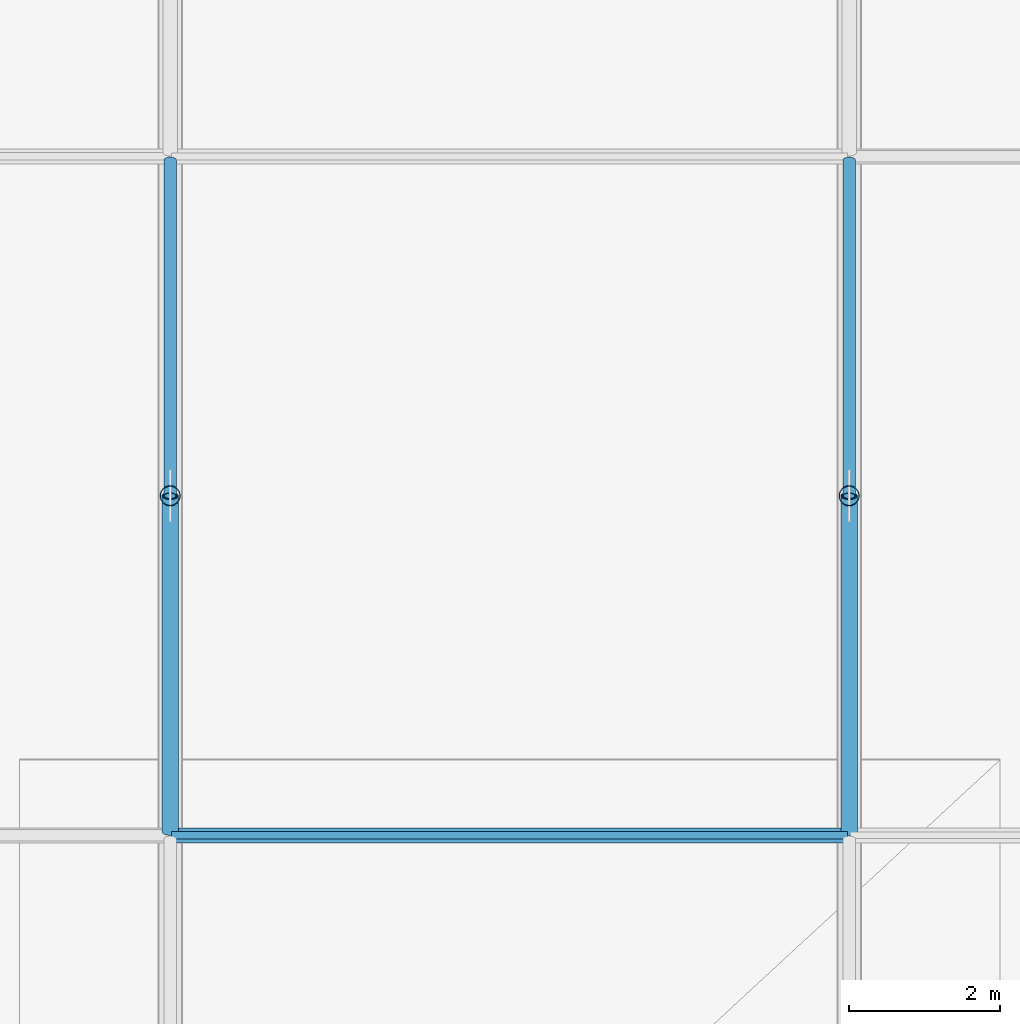
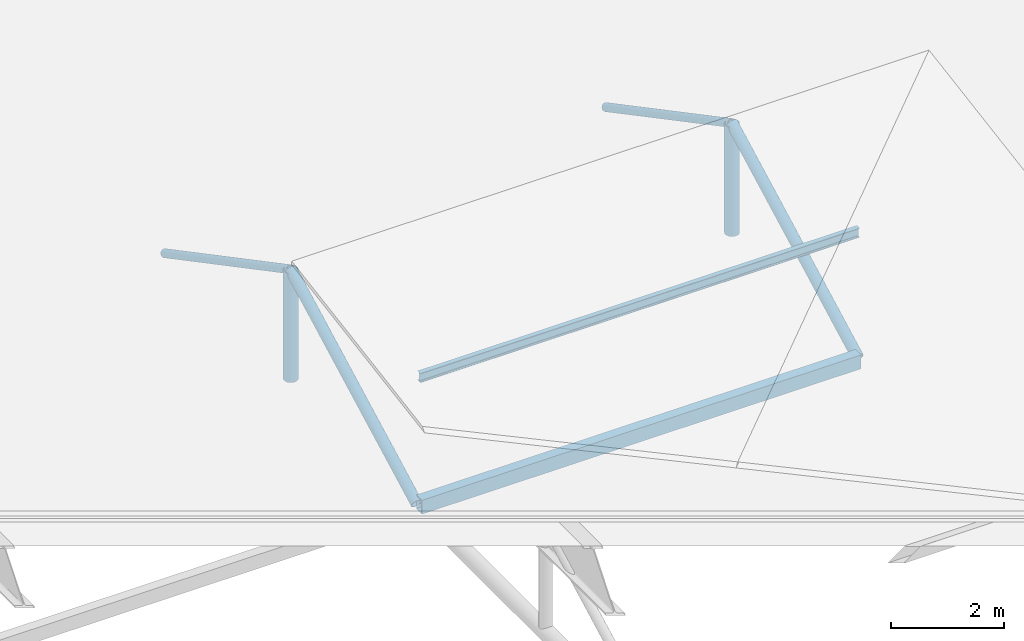
# One storey, part 84 of 196: 8 members.
"""IFC4 building model written with IfcOpenShell, lengths in metres."""

from ifc_helpers import new_model, si_unit, direction, frame, origin, origin_2d, place, context, subcontext, project, spatial, hollow_rectangle, hollow_circle, i_section, extrude, material, material_profile, profile_set, type_object, element, save


model = new_model("IFC4")

# Units and contexts
model_context = context("Model", 3, precision=1e-05, world=origin(), true_north=direction((0.0, 1.0)))
body_context = subcontext(model_context, "Body", "Model", "MODEL_VIEW")
ifc_project = project(units=[si_unit("LENGTHUNIT", "METRE"), si_unit("AREAUNIT", "SQUARE_METRE"), si_unit("VOLUMEUNIT", "CUBIC_METRE"), si_unit("PLANEANGLEUNIT", "RADIAN"), si_unit("MASSUNIT", "GRAM", prefix="KILO")], contexts=[model_context])

# Site, building, storey
site_placement = place(None, origin())
site = spatial("IfcSite", under=ifc_project, at=site_placement, CompositionType="ELEMENT")
building_placement = place(site_placement, origin())
building = spatial("IfcBuilding", under=site, at=building_placement, Name="Barlavento Convention Centre", CompositionType="ELEMENT")
storey_placement = place(building_placement, frame((0.0, 0.0, 18.0)))
storey = spatial("IfcBuildingStorey", under=building, at=storey_placement, Name="L03", CompositionType="ELEMENT", Elevation=18.0)

# Members
ifc_material = material(Name="Steel S355", Category="steel")
ifc_material_profile_1 = material_profile(ifc_material, hollow_rectangle(XDim=0.199951171875, YDim=0.300048828125, WallThickness=0.012451171875, at=origin_2d()), Name="RHS 300x200x12.5")
ifc_profile_set_1 = profile_set([ifc_material_profile_1], Name="Steel S355")
member_type_1 = type_object("IfcMemberType", Name="STR-MEM-COL-RHS300", PredefinedType="COLLAR", material=ifc_profile_set_1)
member_1_placement = place(storey_placement, frame((99.02001953125, 81.0, -3.199951171875), z_axis=(1.0, 0.0, 0.0), x_axis=(0.0, 1.0, 0.0)))
element("IfcMember", 1, at=member_1_placement, inside=storey, type_object=member_type_1, Name="Exhibition space frame transverse chord", PredefinedType="COLLAR", context=body_context, shape_type="SweptSolid", body=[
    extrude(hollow_rectangle(XDim=0.199951171875, YDim=0.300048828125, WallThickness=0.012451171875, at=origin_2d()), origin(), (0.0, 0.0, 1.0), 8.9599609375),
])
ifc_material_profile_2 = material_profile(ifc_material, hollow_circle(Radius=0.084228515625, WallThickness=0.010009765625, at=origin_2d()), Name="CHS 168.3x10.0")
ifc_profile_set_2 = profile_set([ifc_material_profile_2], Name="Steel S355")
member_type_2 = type_object("IfcMemberType", Name="STR-MEM-DIAG-CHS168", PredefinedType="POST", material=ifc_profile_set_2)
member_2_placement = place(storey_placement, frame((99.0, 85.5, -0.84912109375), z_axis=(0.0, 0.884200566707, -0.467107437144), x_axis=(-1.0, 0.0, 0.0)))
element("IfcMember", 2, at=member_2_placement, inside=storey, type_object=member_type_2, Name="Exhibition space frame web diagonal", PredefinedType="POST", context=body_context, shape_type="SweptSolid", body=[
    extrude(hollow_circle(Radius=0.084228515625, WallThickness=0.010009765625, at=origin_2d()), origin(), (0.0, 0.0, 1.0), 5.03271484375),
])
member_3_placement = place(storey_placement, frame((108.0, 85.5, -0.844970703125), z_axis=(0.0, 0.883859857229, -0.467751806816), x_axis=(-1.0, 0.0, 0.0)))
element("IfcMember", 3, at=member_3_placement, inside=storey, type_object=member_type_2, Name="Exhibition space frame web diagonal", PredefinedType="POST", context=body_context, shape_type="SweptSolid", body=[
    extrude(hollow_circle(Radius=0.084228515625, WallThickness=0.010009765625, at=origin_2d()), origin(), (0.0, 0.0, 1.0), 5.03466796875),
])
ifc_material_profile_3 = material_profile(ifc_material, hollow_circle(Radius=0.109619140625, WallThickness=0.012451171875, at=origin_2d()), Name="CHS 219.1x12.5")
ifc_profile_set_3 = profile_set([ifc_material_profile_3], Name="Steel S355")
member_type_3 = type_object("IfcMemberType", Name="STR-MEM-DIAG-CHS219", PredefinedType="RAFTER", material=ifc_profile_set_3)
member_4_placement = place(storey_placement, frame((99.0, 81.050048828125, -3.199951171875), z_axis=(0.0, 0.884200566707, 0.467107437144), x_axis=(-1.0, 0.0, 0.0)))
element("IfcMember", 4, at=member_4_placement, inside=storey, type_object=member_type_3, Name="Exhibition space frame web diagonal", PredefinedType="RAFTER", context=body_context, shape_type="SweptSolid", body=[
    extrude(hollow_circle(Radius=0.109619140625, WallThickness=0.012451171875, at=origin_2d()), origin(), (0.0, 0.0, 1.0), 5.03271484375),
])
member_5_placement = place(storey_placement, frame((108.0, 81.050048828125, -3.199951171875), z_axis=(0.0, 0.883859857229, 0.467751806816), x_axis=(-1.0, 0.0, 0.0)))
element("IfcMember", 5, at=member_5_placement, inside=storey, type_object=member_type_3, Name="Exhibition space frame web diagonal", PredefinedType="RAFTER", context=body_context, shape_type="SweptSolid", body=[
    extrude(hollow_circle(Radius=0.109619140625, WallThickness=0.012451171875, at=origin_2d()), origin(), (0.0, 0.0, 1.0), 5.03466796875),
])
ifc_material_profile_4 = material_profile(ifc_material, i_section(OverallWidth=0.10009765625, OverallDepth=0.199951171875, WebThickness=0.005615234375, FlangeThickness=0.008544921875, FilletRadius=0.011962890625, at=origin_2d()), Name="IPE 200")
ifc_profile_set_4 = profile_set([ifc_material_profile_4], Name="Steel S355")
member_type_4 = type_object("IfcMemberType", Name="STR-MEM-PUR-IPE200", PredefinedType="PURLIN", material=ifc_profile_set_4)
member_6_placement = place(storey_placement, frame((99.02001953125, 81.0, -0.445068359375), z_axis=(1.0, 0.0, 0.0), x_axis=(0.0, 1.0, 0.0)))
element("IfcMember", 6, at=member_6_placement, inside=storey, type_object=member_type_4, Name="Exhibition roof purlin", PredefinedType="PURLIN", context=body_context, shape_type="SweptSolid", body=[
    extrude(i_section(OverallWidth=0.10009765625, OverallDepth=0.199951171875, WebThickness=0.005615234375, FlangeThickness=0.008544921875, FilletRadius=0.011962890625, at=origin_2d()), origin(), (0.0, 0.0, 1.0), 8.9599609375),
])
ifc_material_profile_5 = material_profile(ifc_material, hollow_circle(Radius=0.136474609375, WallThickness=0.012451171875, at=origin_2d()), Name="CHS 273.0x12.5")
ifc_profile_set_5 = profile_set([ifc_material_profile_5], Name="Steel S355")
member_type_5 = type_object("IfcMemberType", Name="STR-MEM-STRUT-CHS273", PredefinedType="STRUT", material=ifc_profile_set_5)
member_7_placement = place(storey_placement, frame((99.0, 85.5, -3.199951171875), z_axis=(0.0, 0.0, 1.0), x_axis=(1.0, 0.0, 0.0)))
element("IfcMember", 7, at=member_7_placement, inside=storey, type_object=member_type_5, Name="Exhibition space frame vertical strut", PredefinedType="STRUT", context=body_context, shape_type="SweptSolid", body=[
    extrude(hollow_circle(Radius=0.136474609375, WallThickness=0.012451171875, at=origin_2d()), origin(), (0.0, 0.0, 1.0), 2.350830078125),
])
member_8_placement = place(storey_placement, frame((108.0, 85.5, -3.199951171875), z_axis=(0.0, 0.0, 1.0), x_axis=(1.0, 0.0, 0.0)))
element("IfcMember", 8, at=member_8_placement, inside=storey, type_object=member_type_5, Name="Exhibition space frame vertical strut", PredefinedType="STRUT", context=body_context, shape_type="SweptSolid", body=[
    extrude(hollow_circle(Radius=0.136474609375, WallThickness=0.012451171875, at=origin_2d()), origin(), (0.0, 0.0, 1.0), 2.35498046875),
])

save(model, "model.ifc")
